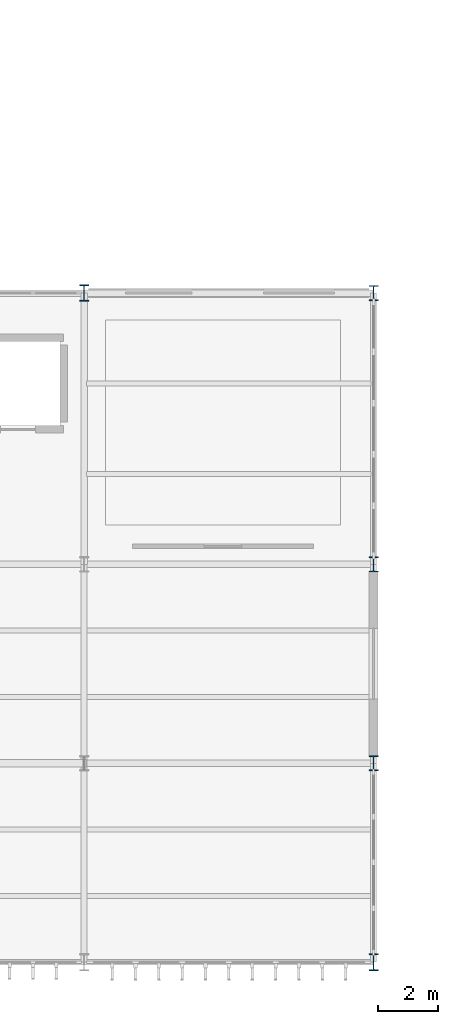
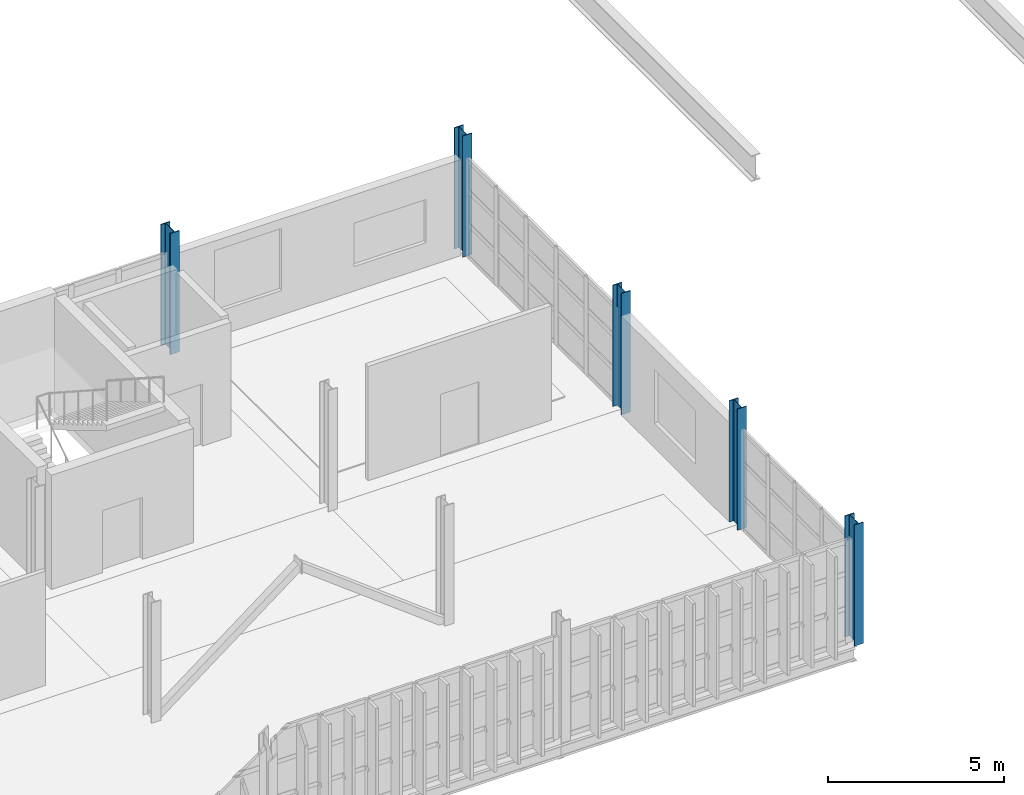
# One storey, part 2 of 52: 5 columns.
"""IFC4 building model written with IfcOpenShell, lengths in metres."""

from ifc_helpers import new_model, si_unit, direction, frame, origin, origin_2d, place, context, subcontext, project, spatial, i_section, extrude, material, material_profile, profile_set, type_object, element, save


model = new_model("IFC4")

# Units and contexts
model_context = context("Model", 3, precision=1e-05, world=origin(), true_north=direction((0.0, 1.0)))
body_context = subcontext(model_context, "Body", "Model", "MODEL_VIEW")
ifc_project = project(units=[si_unit("LENGTHUNIT", "METRE"), si_unit("AREAUNIT", "SQUARE_METRE"), si_unit("VOLUMEUNIT", "CUBIC_METRE"), si_unit("PLANEANGLEUNIT", "RADIAN"), si_unit("MASSUNIT", "GRAM", prefix="KILO")], contexts=[model_context])

# Site, building, storey
site_placement = place(None, origin())
site = spatial("IfcSite", under=ifc_project, at=site_placement, CompositionType="ELEMENT")
building_placement = place(site_placement, origin())
building = spatial("IfcBuilding", under=site, at=building_placement, Name="Zarnetskaya Central Station", CompositionType="ELEMENT")
storey_placement = place(building_placement, frame((0.0, 0.0, 14.39990234375)))
storey = spatial("IfcBuildingStorey", under=building, at=storey_placement, Name="L03", CompositionType="ELEMENT", Elevation=14.39990234375)

# Columns
ifc_material = material(Name="Steel S355", Category="steel")
ifc_material_profile_1 = material_profile(ifc_material, i_section(OverallWidth=0.300048828125, OverallDepth=0.550048828125, WebThickness=0.014892578125, FlangeThickness=0.029052734375, FilletRadius=0.027099609375, at=origin_2d()), Name="HEB 550")
ifc_profile_set_1 = profile_set([ifc_material_profile_1], Name="Steel S355")
column_type_1 = type_object("IfcColumnType", Name="COL-V5-MID-E", PredefinedType="COLUMN", material=ifc_profile_set_1)
for number, where, z_axis, x_axis, name in (
    (1, (38.39990234375, 22.199951171875, 0.0), (0.0, 0.0, 1.0), (1.0, 0.0, 0.0), "Column E4 L03"),
    (2, (48.0, 0.0, 0.0), (0.0, 0.0, 1.0), (1.0, 0.0, 0.0), "Column F1 L03"),
):
    element("IfcColumn", number, at=place(storey_placement, frame(where, z_axis=z_axis, x_axis=x_axis)), inside=storey, type_object=column_type_1, Name=name, PredefinedType="COLUMN", context=body_context, shape_type="SweptSolid", body=[
        extrude(i_section(OverallWidth=0.300048828125, OverallDepth=0.550048828125, WebThickness=0.014892578125, FlangeThickness=0.029052734375, FilletRadius=0.027099609375, at=origin_2d()), origin(), (0.0, 0.0, 1.0), 4.2001953125),
    ])
ifc_material_profile_2 = material_profile(ifc_material, i_section(OverallWidth=0.300048828125, OverallDepth=0.5, WebThickness=0.014404296875, FlangeThickness=0.028076171875, FilletRadius=0.027099609375, at=origin_2d()), Name="HEB 500")
ifc_profile_set_2 = profile_set([ifc_material_profile_2], Name="Steel S355")
column_type_2 = type_object("IfcColumnType", Name="COL-V5-MID-I", PredefinedType="COLUMN", material=ifc_profile_set_2)
for number, where, z_axis, x_axis, name in (
    (3, (48.0, 6.60009765625, 0.0), (0.0, 0.0, 1.0), (1.0, 0.0, 0.0), "Column F2 L03"),
    (4, (48.0, 13.199951171875, 0.0), (0.0, 0.0, 1.0), (1.0, 0.0, 0.0), "Column F3 L03"),
    (5, (48.0, 22.199951171875, 0.0), (0.0, 0.0, 1.0), (1.0, 0.0, 0.0), "Column F4 L03"),
):
    element("IfcColumn", number, at=place(storey_placement, frame(where, z_axis=z_axis, x_axis=x_axis)), inside=storey, type_object=column_type_2, Name=name, PredefinedType="COLUMN", context=body_context, shape_type="SweptSolid", body=[
        extrude(i_section(OverallWidth=0.300048828125, OverallDepth=0.5, WebThickness=0.014404296875, FlangeThickness=0.028076171875, FilletRadius=0.027099609375, at=origin_2d()), origin(), (0.0, 0.0, 1.0), 4.2001953125),
    ])

save(model, "model.ifc")
